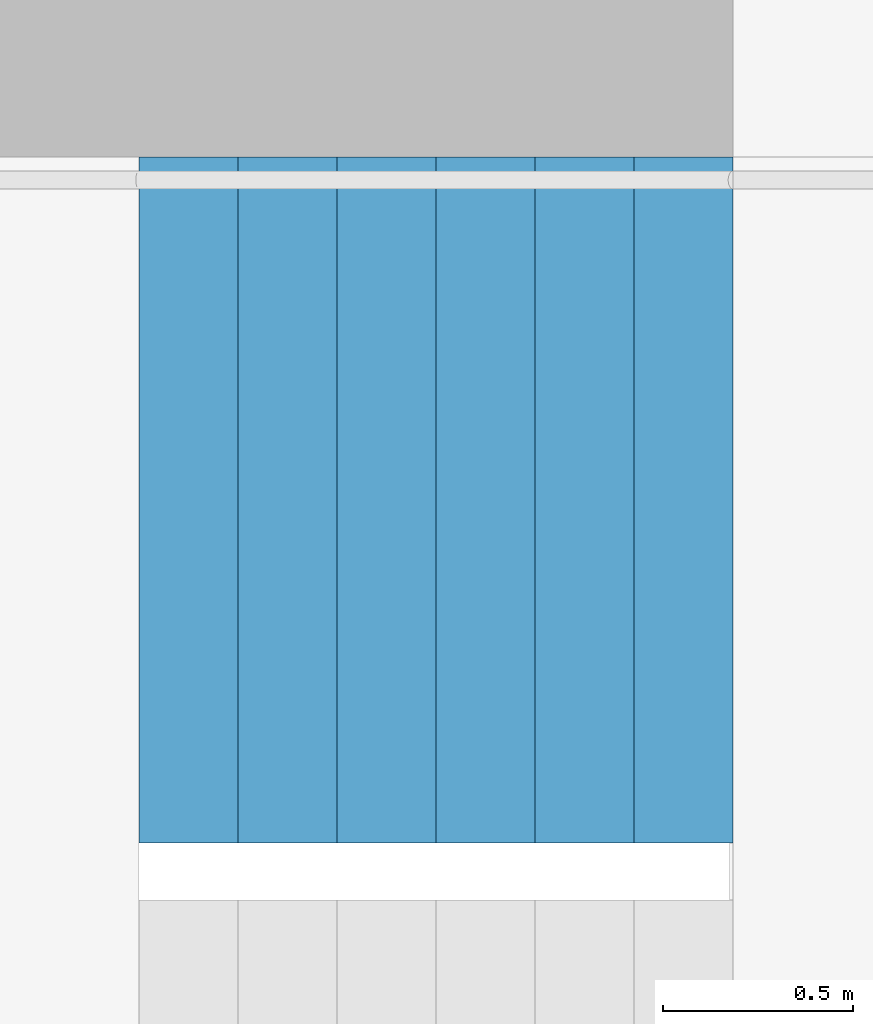
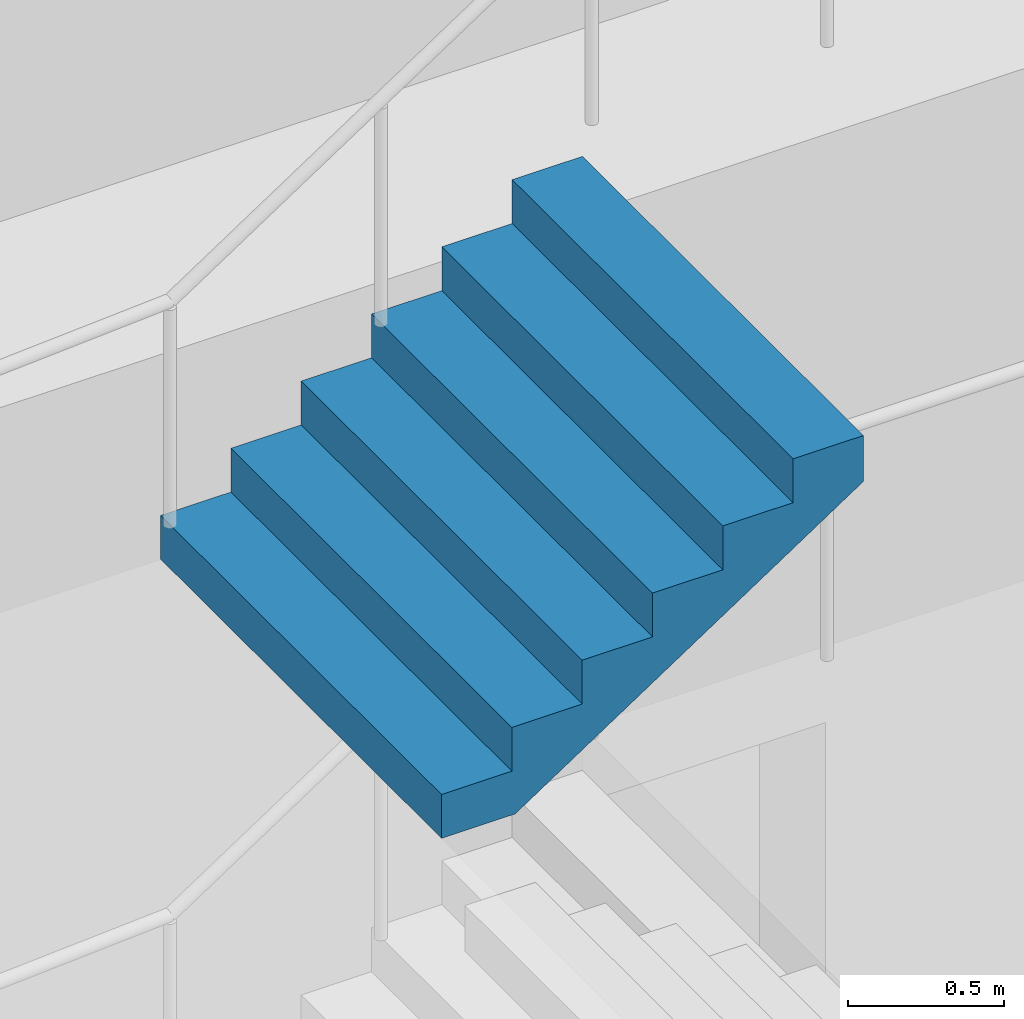
# One storey, part 42 of 53: 1 stair flight, 1 element without a shape of its own.
"""IFC4 building model written with IfcOpenShell, lengths in metres."""

from ifc_helpers import new_model, si_unit, direction, frame, origin, place, context, subcontext, project, spatial, triangles, material, type_object, element, aggregate, save


model = new_model("IFC4")

# Units and contexts
model_context = context("Model", 3, precision=1e-05, world=origin(), true_north=direction((0.0, 1.0)))
body_context = subcontext(model_context, "Body", "Model", "MODEL_VIEW")
ifc_project = project(units=[si_unit("LENGTHUNIT", "METRE"), si_unit("AREAUNIT", "SQUARE_METRE"), si_unit("VOLUMEUNIT", "CUBIC_METRE"), si_unit("PLANEANGLEUNIT", "RADIAN"), si_unit("MASSUNIT", "GRAM", prefix="KILO")], contexts=[model_context])

# Site, building, storey
site_placement = place(None, origin())
site = spatial("IfcSite", under=ifc_project, at=site_placement, CompositionType="ELEMENT")
building_placement = place(site_placement, origin())
building = spatial("IfcBuilding", under=site, at=building_placement, Name="Hakoniwa Tower and Hamabe Station Hall", CompositionType="ELEMENT")
storey_placement = place(building_placement, frame((0.0, 0.0, 15.0)))
storey = spatial("IfcBuildingStorey", under=building, at=storey_placement, Name="L03", CompositionType="ELEMENT", Elevation=15.0)

# Stair, stair flight
ifc_material_1 = material(Name="Concrete C40", Category="concrete")
stair_type = type_object("IfcStairType", Name="ESCAPE STAIR 1800", PredefinedType="HALF_TURN_STAIR", material=ifc_material_1)
stair_placement = place(storey_placement, origin())
stair = element("IfcStair", 1, at=stair_placement, inside=storey, type_object=stair_type, Name="Escape stair ST-3 L03", PredefinedType="HALF_TURN_STAIR")
ifc_material_2 = material(Name="Concrete C40", Category="concrete")
stair_flight_type = type_object("IfcStairFlightType", Name="STAIR FLIGHT 1800", PredefinedType="STRAIGHT", material=ifc_material_2)
stair_flight_placement = place(storey_placement, frame((22.840087890625, 6.60009765625, 3.60009765625), z_axis=(0.0, 0.0, 1.0), x_axis=(1.0, 0.0, 0.0)))
stair_flight = element("IfcStairFlight", 2, at=stair_flight_placement, type_object=stair_flight_type, Name="ST-3 flight 4", NumberOfRisers=7, NumberOfTreads=6, PredefinedType="STRAIGHT", RiserHeight=0.171428571, TreadLength=0.26, context=body_context, shape_type="Tessellation", body=[
    triangles([(0.0, 0.89990234375, 0.0), (0.260009765625, 0.89990234375, 0.0), (0.272216796875, 0.89990234375, 0.0), (0.52001953125, 0.89990234375, 0.163330078125), (0.780029296875, 0.89990234375, 0.334716796875), (1.0400390625, 0.89990234375, 0.506103515625), (1.300048828125, 0.89990234375, 0.677490234375), (1.56005859375, 0.89990234375, 0.84912109375), (1.56005859375, 0.89990234375, 1.028564453125), (1.300048828125, 0.89990234375, 1.028564453125), (1.300048828125, 0.89990234375, 0.857177734375), (1.0400390625, 0.89990234375, 0.857177734375), (1.0400390625, 0.89990234375, 0.685791015625), (0.780029296875, 0.89990234375, 0.685791015625), (0.780029296875, 0.89990234375, 0.514404296875), (0.52001953125, 0.89990234375, 0.514404296875), (0.52001953125, 0.89990234375, 0.3427734375), (0.272216796875, 0.89990234375, 0.3427734375), (0.260009765625, 0.89990234375, 0.3427734375), (0.260009765625, 0.89990234375, 0.17138671875), (0.0, 0.89990234375, 0.17138671875), (0.0, 0.06005859375, 0.0), (0.260009765625, 0.06005859375, 0.0), (0.272216796875, 0.06005859375, 0.0), (0.52001953125, 0.06005859375, 0.163330078125), (0.780029296875, 0.06005859375, 0.334716796875), (1.0400390625, 0.06005859375, 0.506103515625), (1.300048828125, 0.06005859375, 0.677490234375), (1.56005859375, 0.06005859375, 0.84912109375), (1.56005859375, 0.06005859375, 1.028564453125), (1.300048828125, 0.06005859375, 1.028564453125), (1.300048828125, 0.06005859375, 0.857177734375), (1.0400390625, 0.06005859375, 0.857177734375), (1.0400390625, 0.06005859375, 0.685791015625), (0.780029296875, 0.06005859375, 0.685791015625), (0.780029296875, 0.06005859375, 0.514404296875), (0.52001953125, 0.06005859375, 0.514404296875), (0.52001953125, 0.06005859375, 0.3427734375), (0.272216796875, 0.06005859375, 0.3427734375), (0.260009765625, 0.06005859375, 0.3427734375), (0.260009765625, 0.06005859375, 0.17138671875), (0.0, 0.06005859375, 0.17138671875), (0.0, 0.049072265625, 0.0), (0.260009765625, 0.049072265625, 0.0), (0.272216796875, 0.049072265625, 0.0), (0.52001953125, 0.049072265625, 0.163330078125), (0.780029296875, 0.049072265625, 0.334716796875), (1.0400390625, 0.049072265625, 0.506103515625), (1.300048828125, 0.049072265625, 0.677490234375), (1.56005859375, 0.049072265625, 0.84912109375), (1.56005859375, 0.049072265625, 1.028564453125), (1.300048828125, 0.049072265625, 1.028564453125), (1.300048828125, 0.049072265625, 0.857177734375), (1.0400390625, 0.049072265625, 0.857177734375), (1.0400390625, 0.049072265625, 0.685791015625), (0.780029296875, 0.049072265625, 0.685791015625), (0.780029296875, 0.049072265625, 0.514404296875), (0.52001953125, 0.049072265625, 0.514404296875), (0.52001953125, 0.049072265625, 0.3427734375), (0.272216796875, 0.049072265625, 0.3427734375), (0.260009765625, 0.049072265625, 0.3427734375), (0.260009765625, 0.049072265625, 0.17138671875), (0.0, 0.049072265625, 0.17138671875), (0.0, 0.0380859375, 0.0), (0.260009765625, 0.0380859375, 0.0), (0.272216796875, 0.0380859375, 0.0), (0.52001953125, 0.0380859375, 0.163330078125), (0.780029296875, 0.0380859375, 0.334716796875), (1.0400390625, 0.0380859375, 0.506103515625), (1.300048828125, 0.0380859375, 0.677490234375), (1.56005859375, 0.0380859375, 0.84912109375), (1.56005859375, 0.0380859375, 1.028564453125), (1.300048828125, 0.0380859375, 1.028564453125), (1.300048828125, 0.0380859375, 0.857177734375), (1.0400390625, 0.0380859375, 0.857177734375), (1.0400390625, 0.0380859375, 0.685791015625), (0.780029296875, 0.0380859375, 0.685791015625), (0.780029296875, 0.0380859375, 0.514404296875), (0.52001953125, 0.0380859375, 0.514404296875), (0.52001953125, 0.0380859375, 0.3427734375), (0.272216796875, 0.0380859375, 0.3427734375), (0.260009765625, 0.0380859375, 0.3427734375), (0.260009765625, 0.0380859375, 0.17138671875), (0.0, 0.0380859375, 0.17138671875), (0.0, 0.02734375, 0.0), (0.260009765625, 0.02734375, 0.0), (0.272216796875, 0.02734375, 0.0), (0.52001953125, 0.02734375, 0.163330078125), (0.780029296875, 0.02734375, 0.334716796875), (1.0400390625, 0.02734375, 0.506103515625), (1.300048828125, 0.02734375, 0.677490234375), (1.56005859375, 0.02734375, 0.84912109375), (1.56005859375, 0.02734375, 1.028564453125), (1.300048828125, 0.02734375, 1.028564453125), (1.300048828125, 0.02734375, 0.857177734375), (1.0400390625, 0.02734375, 0.857177734375), (1.0400390625, 0.02734375, 0.685791015625), (0.780029296875, 0.02734375, 0.685791015625), (0.780029296875, 0.02734375, 0.514404296875), (0.52001953125, 0.02734375, 0.514404296875), (0.52001953125, 0.02734375, 0.3427734375), (0.272216796875, 0.02734375, 0.3427734375), (0.260009765625, 0.02734375, 0.3427734375), (0.260009765625, 0.02734375, 0.17138671875), (0.0, 0.02734375, 0.17138671875), (0.0, 0.016357421875, 0.0), (0.260009765625, 0.016357421875, 0.0), (0.272216796875, 0.016357421875, 0.0), (0.52001953125, 0.016357421875, 0.163330078125), (0.780029296875, 0.016357421875, 0.334716796875), (1.0400390625, 0.016357421875, 0.506103515625), (1.300048828125, 0.016357421875, 0.677490234375), (1.56005859375, 0.016357421875, 0.84912109375), (1.56005859375, 0.016357421875, 1.028564453125), (1.300048828125, 0.016357421875, 1.028564453125), (1.300048828125, 0.016357421875, 0.857177734375), (1.0400390625, 0.016357421875, 0.857177734375), (1.0400390625, 0.016357421875, 0.685791015625), (0.780029296875, 0.016357421875, 0.685791015625), (0.780029296875, 0.016357421875, 0.514404296875), (0.52001953125, 0.016357421875, 0.514404296875), (0.52001953125, 0.016357421875, 0.3427734375), (0.272216796875, 0.016357421875, 0.3427734375), (0.260009765625, 0.016357421875, 0.3427734375), (0.260009765625, 0.016357421875, 0.17138671875), (0.0, 0.016357421875, 0.17138671875), (0.0, 0.00537109375, 0.0), (0.260009765625, 0.00537109375, 0.0), (0.272216796875, 0.00537109375, 0.0), (0.52001953125, 0.00537109375, 0.163330078125), (0.780029296875, 0.00537109375, 0.334716796875), (1.0400390625, 0.00537109375, 0.506103515625), (1.300048828125, 0.00537109375, 0.677490234375), (1.56005859375, 0.00537109375, 0.84912109375), (1.56005859375, 0.00537109375, 1.028564453125), (1.300048828125, 0.00537109375, 1.028564453125), (1.300048828125, 0.00537109375, 0.857177734375), (1.0400390625, 0.00537109375, 0.857177734375), (1.0400390625, 0.00537109375, 0.685791015625), (0.780029296875, 0.00537109375, 0.685791015625), (0.780029296875, 0.00537109375, 0.514404296875), (0.52001953125, 0.00537109375, 0.514404296875), (0.52001953125, 0.00537109375, 0.3427734375), (0.272216796875, 0.00537109375, 0.3427734375), (0.260009765625, 0.00537109375, 0.3427734375), (0.260009765625, 0.00537109375, 0.17138671875), (0.0, 0.00537109375, 0.17138671875), (0.0, -0.00537109375, 0.0), (0.260009765625, -0.00537109375, 0.0), (0.272216796875, -0.00537109375, 0.0), (0.52001953125, -0.00537109375, 0.163330078125), (0.780029296875, -0.00537109375, 0.334716796875), (1.0400390625, -0.00537109375, 0.506103515625), (1.300048828125, -0.00537109375, 0.677490234375), (1.56005859375, -0.00537109375, 0.84912109375), (1.56005859375, -0.00537109375, 1.028564453125), (1.300048828125, -0.00537109375, 1.028564453125), (1.300048828125, -0.00537109375, 0.857177734375), (1.0400390625, -0.00537109375, 0.857177734375), (1.0400390625, -0.00537109375, 0.685791015625), (0.780029296875, -0.00537109375, 0.685791015625), (0.780029296875, -0.00537109375, 0.514404296875), (0.52001953125, -0.00537109375, 0.514404296875), (0.52001953125, -0.00537109375, 0.3427734375), (0.272216796875, -0.00537109375, 0.3427734375), (0.260009765625, -0.00537109375, 0.3427734375), (0.260009765625, -0.00537109375, 0.17138671875), (0.0, -0.00537109375, 0.17138671875), (0.0, -0.016357421875, 0.0), (0.260009765625, -0.016357421875, 0.0), (0.272216796875, -0.016357421875, 0.0), (0.52001953125, -0.016357421875, 0.163330078125), (0.780029296875, -0.016357421875, 0.334716796875), (1.0400390625, -0.016357421875, 0.506103515625), (1.300048828125, -0.016357421875, 0.677490234375), (1.56005859375, -0.016357421875, 0.84912109375), (1.56005859375, -0.016357421875, 1.028564453125), (1.300048828125, -0.016357421875, 1.028564453125), (1.300048828125, -0.016357421875, 0.857177734375), (1.0400390625, -0.016357421875, 0.857177734375), (1.0400390625, -0.016357421875, 0.685791015625), (0.780029296875, -0.016357421875, 0.685791015625), (0.780029296875, -0.016357421875, 0.514404296875), (0.52001953125, -0.016357421875, 0.514404296875), (0.52001953125, -0.016357421875, 0.3427734375), (0.272216796875, -0.016357421875, 0.3427734375), (0.260009765625, -0.016357421875, 0.3427734375), (0.260009765625, -0.016357421875, 0.17138671875), (0.0, -0.016357421875, 0.17138671875), (0.0, -0.02734375, 0.0), (0.260009765625, -0.02734375, 0.0), (0.272216796875, -0.02734375, 0.0), (0.52001953125, -0.02734375, 0.163330078125), (0.780029296875, -0.02734375, 0.334716796875), (1.0400390625, -0.02734375, 0.506103515625), (1.300048828125, -0.02734375, 0.677490234375), (1.56005859375, -0.02734375, 0.84912109375), (1.56005859375, -0.02734375, 1.028564453125), (1.300048828125, -0.02734375, 1.028564453125), (1.300048828125, -0.02734375, 0.857177734375), (1.0400390625, -0.02734375, 0.857177734375), (1.0400390625, -0.02734375, 0.685791015625), (0.780029296875, -0.02734375, 0.685791015625), (0.780029296875, -0.02734375, 0.514404296875), (0.52001953125, -0.02734375, 0.514404296875), (0.52001953125, -0.02734375, 0.3427734375), (0.272216796875, -0.02734375, 0.3427734375), (0.260009765625, -0.02734375, 0.3427734375), (0.260009765625, -0.02734375, 0.17138671875), (0.0, -0.02734375, 0.17138671875), (0.0, -0.0380859375, 0.0), (0.260009765625, -0.0380859375, 0.0), (0.272216796875, -0.0380859375, 0.0), (0.52001953125, -0.0380859375, 0.163330078125), (0.780029296875, -0.0380859375, 0.334716796875), (1.0400390625, -0.0380859375, 0.506103515625), (1.300048828125, -0.0380859375, 0.677490234375), (1.56005859375, -0.0380859375, 0.84912109375), (1.56005859375, -0.0380859375, 1.028564453125), (1.300048828125, -0.0380859375, 1.028564453125), (1.300048828125, -0.0380859375, 0.857177734375), (1.0400390625, -0.0380859375, 0.857177734375), (1.0400390625, -0.0380859375, 0.685791015625), (0.780029296875, -0.0380859375, 0.685791015625), (0.780029296875, -0.0380859375, 0.514404296875), (0.52001953125, -0.0380859375, 0.514404296875), (0.52001953125, -0.0380859375, 0.3427734375), (0.272216796875, -0.0380859375, 0.3427734375), (0.260009765625, -0.0380859375, 0.3427734375), (0.260009765625, -0.0380859375, 0.17138671875), (0.0, -0.0380859375, 0.17138671875), (0.0, -0.049072265625, 0.0), (0.260009765625, -0.049072265625, 0.0), (0.272216796875, -0.049072265625, 0.0), (0.52001953125, -0.049072265625, 0.163330078125), (0.780029296875, -0.049072265625, 0.334716796875), (1.0400390625, -0.049072265625, 0.506103515625), (1.300048828125, -0.049072265625, 0.677490234375), (1.56005859375, -0.049072265625, 0.84912109375), (1.56005859375, -0.049072265625, 1.028564453125), (1.300048828125, -0.049072265625, 1.028564453125), (1.300048828125, -0.049072265625, 0.857177734375), (1.0400390625, -0.049072265625, 0.857177734375), (1.0400390625, -0.049072265625, 0.685791015625), (0.780029296875, -0.049072265625, 0.685791015625), (0.780029296875, -0.049072265625, 0.514404296875), (0.52001953125, -0.049072265625, 0.514404296875), (0.52001953125, -0.049072265625, 0.3427734375), (0.272216796875, -0.049072265625, 0.3427734375), (0.260009765625, -0.049072265625, 0.3427734375), (0.260009765625, -0.049072265625, 0.17138671875), (0.0, -0.049072265625, 0.17138671875), (0.0, -0.06005859375, 0.0), (0.260009765625, -0.06005859375, 0.0), (0.272216796875, -0.06005859375, 0.0), (0.52001953125, -0.06005859375, 0.163330078125), (0.780029296875, -0.06005859375, 0.334716796875), (1.0400390625, -0.06005859375, 0.506103515625), (1.300048828125, -0.06005859375, 0.677490234375), (1.56005859375, -0.06005859375, 0.84912109375), (1.56005859375, -0.06005859375, 1.028564453125), (1.300048828125, -0.06005859375, 1.028564453125), (1.300048828125, -0.06005859375, 0.857177734375), (1.0400390625, -0.06005859375, 0.857177734375), (1.0400390625, -0.06005859375, 0.685791015625), (0.780029296875, -0.06005859375, 0.685791015625), (0.780029296875, -0.06005859375, 0.514404296875), (0.52001953125, -0.06005859375, 0.514404296875), (0.52001953125, -0.06005859375, 0.3427734375), (0.272216796875, -0.06005859375, 0.3427734375), (0.260009765625, -0.06005859375, 0.3427734375), (0.260009765625, -0.06005859375, 0.17138671875), (0.0, -0.06005859375, 0.17138671875), (0.0, -0.89990234375, 0.0), (0.260009765625, -0.89990234375, 0.0), (0.272216796875, -0.89990234375, 0.0), (0.52001953125, -0.89990234375, 0.163330078125), (0.780029296875, -0.89990234375, 0.334716796875), (1.0400390625, -0.89990234375, 0.506103515625), (1.300048828125, -0.89990234375, 0.677490234375), (1.56005859375, -0.89990234375, 0.84912109375), (1.56005859375, -0.89990234375, 1.028564453125), (1.300048828125, -0.89990234375, 1.028564453125), (1.300048828125, -0.89990234375, 0.857177734375), (1.0400390625, -0.89990234375, 0.857177734375), (1.0400390625, -0.89990234375, 0.685791015625), (0.780029296875, -0.89990234375, 0.685791015625), (0.780029296875, -0.89990234375, 0.514404296875), (0.52001953125, -0.89990234375, 0.514404296875), (0.52001953125, -0.89990234375, 0.3427734375), (0.272216796875, -0.89990234375, 0.3427734375), (0.260009765625, -0.89990234375, 0.3427734375), (0.260009765625, -0.89990234375, 0.17138671875), (0.0, -0.89990234375, 0.17138671875)], [[2, 21, 20], [275, 293, 294], [2, 1, 21], [275, 294, 274], [3, 19, 18], [276, 291, 292], [3, 20, 19], [276, 292, 293], [3, 2, 20], [276, 293, 275], [4, 18, 17], [277, 290, 291], [4, 3, 18], [277, 291, 276], [5, 16, 15], [278, 288, 289], [5, 17, 16], [278, 289, 290], [5, 4, 17], [278, 290, 277], [6, 14, 13], [279, 286, 287], [6, 15, 14], [279, 287, 288], [6, 5, 15], [279, 288, 278], [7, 12, 11], [280, 284, 285], [7, 13, 12], [280, 285, 286], [7, 6, 13], [280, 286, 279], [8, 10, 9], [281, 282, 283], [8, 11, 10], [281, 283, 284], [8, 7, 11], [281, 284, 280], [1, 2, 23], [1, 23, 22], [22, 23, 44], [22, 44, 43], [43, 44, 65], [43, 65, 64], [64, 65, 86], [64, 86, 85], [85, 86, 107], [85, 107, 106], [106, 107, 128], [106, 128, 127], [127, 128, 149], [127, 149, 148], [148, 149, 170], [148, 170, 169], [169, 170, 191], [169, 191, 190], [190, 191, 212], [190, 212, 211], [211, 212, 233], [211, 233, 232], [232, 233, 254], [232, 254, 253], [253, 254, 275], [253, 275, 274], [2, 3, 24], [2, 24, 23], [23, 24, 45], [23, 45, 44], [44, 45, 66], [44, 66, 65], [65, 66, 87], [65, 87, 86], [86, 87, 108], [86, 108, 107], [107, 108, 129], [107, 129, 128], [128, 129, 150], [128, 150, 149], [149, 150, 171], [149, 171, 170], [170, 171, 192], [170, 192, 191], [191, 192, 213], [191, 213, 212], [212, 213, 234], [212, 234, 233], [233, 234, 255], [233, 255, 254], [254, 255, 276], [254, 276, 275], [3, 4, 25], [3, 25, 24], [24, 25, 46], [24, 46, 45], [45, 46, 67], [45, 67, 66], [66, 67, 88], [66, 88, 87], [87, 88, 109], [87, 109, 108], [108, 109, 130], [108, 130, 129], [129, 130, 151], [129, 151, 150], [150, 151, 172], [150, 172, 171], [171, 172, 193], [171, 193, 192], [192, 193, 214], [192, 214, 213], [213, 214, 235], [213, 235, 234], [234, 235, 256], [234, 256, 255], [255, 256, 277], [255, 277, 276], [4, 5, 26], [4, 26, 25], [25, 26, 47], [25, 47, 46], [46, 47, 68], [46, 68, 67], [67, 68, 89], [67, 89, 88], [88, 89, 110], [88, 110, 109], [109, 110, 131], [109, 131, 130], [130, 131, 152], [130, 152, 151], [151, 152, 173], [151, 173, 172], [172, 173, 194], [172, 194, 193], [193, 194, 215], [193, 215, 214], [214, 215, 236], [214, 236, 235], [235, 236, 257], [235, 257, 256], [256, 257, 278], [256, 278, 277], [5, 6, 27], [5, 27, 26], [26, 27, 48], [26, 48, 47], [47, 48, 69], [47, 69, 68], [68, 69, 90], [68, 90, 89], [89, 90, 111], [89, 111, 110], [110, 111, 132], [110, 132, 131], [131, 132, 153], [131, 153, 152], [152, 153, 174], [152, 174, 173], [173, 174, 195], [173, 195, 194], [194, 195, 216], [194, 216, 215], [215, 216, 237], [215, 237, 236], [236, 237, 258], [236, 258, 257], [257, 258, 279], [257, 279, 278], [6, 7, 28], [6, 28, 27], [27, 28, 49], [27, 49, 48], [48, 49, 70], [48, 70, 69], [69, 70, 91], [69, 91, 90], [90, 91, 112], [90, 112, 111], [111, 112, 133], [111, 133, 132], [132, 133, 154], [132, 154, 153], [153, 154, 175], [153, 175, 174], [174, 175, 196], [174, 196, 195], [195, 196, 217], [195, 217, 216], [216, 217, 238], [216, 238, 237], [237, 238, 259], [237, 259, 258], [258, 259, 280], [258, 280, 279], [7, 8, 29], [7, 29, 28], [28, 29, 50], [28, 50, 49], [49, 50, 71], [49, 71, 70], [70, 71, 92], [70, 92, 91], [91, 92, 113], [91, 113, 112], [112, 113, 134], [112, 134, 133], [133, 134, 155], [133, 155, 154], [154, 155, 176], [154, 176, 175], [175, 176, 197], [175, 197, 196], [196, 197, 218], [196, 218, 217], [217, 218, 239], [217, 239, 238], [238, 239, 260], [238, 260, 259], [259, 260, 281], [259, 281, 280], [8, 9, 30], [8, 30, 29], [29, 30, 51], [29, 51, 50], [50, 51, 72], [50, 72, 71], [71, 72, 93], [71, 93, 92], [92, 93, 114], [92, 114, 113], [113, 114, 135], [113, 135, 134], [134, 135, 156], [134, 156, 155], [155, 156, 177], [155, 177, 176], [176, 177, 198], [176, 198, 197], [197, 198, 219], [197, 219, 218], [218, 219, 240], [218, 240, 239], [239, 240, 261], [239, 261, 260], [260, 261, 282], [260, 282, 281], [9, 10, 31], [9, 31, 30], [30, 31, 52], [30, 52, 51], [51, 52, 73], [51, 73, 72], [72, 73, 94], [72, 94, 93], [93, 94, 115], [93, 115, 114], [114, 115, 136], [114, 136, 135], [135, 136, 157], [135, 157, 156], [156, 157, 178], [156, 178, 177], [177, 178, 199], [177, 199, 198], [198, 199, 220], [198, 220, 219], [219, 220, 241], [219, 241, 240], [240, 241, 262], [240, 262, 261], [261, 262, 283], [261, 283, 282], [10, 11, 32], [10, 32, 31], [31, 32, 53], [31, 53, 52], [52, 53, 74], [52, 74, 73], [73, 74, 95], [73, 95, 94], [94, 95, 116], [94, 116, 115], [115, 116, 137], [115, 137, 136], [136, 137, 158], [136, 158, 157], [157, 158, 179], [157, 179, 178], [178, 179, 200], [178, 200, 199], [199, 200, 221], [199, 221, 220], [220, 221, 242], [220, 242, 241], [241, 242, 263], [241, 263, 262], [262, 263, 284], [262, 284, 283], [11, 12, 33], [11, 33, 32], [32, 33, 54], [32, 54, 53], [53, 54, 75], [53, 75, 74], [74, 75, 96], [74, 96, 95], [95, 96, 117], [95, 117, 116], [116, 117, 138], [116, 138, 137], [137, 138, 159], [137, 159, 158], [158, 159, 180], [158, 180, 179], [179, 180, 201], [179, 201, 200], [200, 201, 222], [200, 222, 221], [221, 222, 243], [221, 243, 242], [242, 243, 264], [242, 264, 263], [263, 264, 285], [263, 285, 284], [12, 13, 34], [12, 34, 33], [33, 34, 55], [33, 55, 54], [54, 55, 76], [54, 76, 75], [75, 76, 97], [75, 97, 96], [96, 97, 118], [96, 118, 117], [117, 118, 139], [117, 139, 138], [138, 139, 160], [138, 160, 159], [159, 160, 181], [159, 181, 180], [180, 181, 202], [180, 202, 201], [201, 202, 223], [201, 223, 222], [222, 223, 244], [222, 244, 243], [243, 244, 265], [243, 265, 264], [264, 265, 286], [264, 286, 285], [13, 14, 35], [13, 35, 34], [34, 35, 56], [34, 56, 55], [55, 56, 77], [55, 77, 76], [76, 77, 98], [76, 98, 97], [97, 98, 119], [97, 119, 118], [118, 119, 140], [118, 140, 139], [139, 140, 161], [139, 161, 160], [160, 161, 182], [160, 182, 181], [181, 182, 203], [181, 203, 202], [202, 203, 224], [202, 224, 223], [223, 224, 245], [223, 245, 244], [244, 245, 266], [244, 266, 265], [265, 266, 287], [265, 287, 286], [14, 15, 36], [14, 36, 35], [35, 36, 57], [35, 57, 56], [56, 57, 78], [56, 78, 77], [77, 78, 99], [77, 99, 98], [98, 99, 120], [98, 120, 119], [119, 120, 141], [119, 141, 140], [140, 141, 162], [140, 162, 161], [161, 162, 183], [161, 183, 182], [182, 183, 204], [182, 204, 203], [203, 204, 225], [203, 225, 224], [224, 225, 246], [224, 246, 245], [245, 246, 267], [245, 267, 266], [266, 267, 288], [266, 288, 287], [15, 16, 37], [15, 37, 36], [36, 37, 58], [36, 58, 57], [57, 58, 79], [57, 79, 78], [78, 79, 100], [78, 100, 99], [99, 100, 121], [99, 121, 120], [120, 121, 142], [120, 142, 141], [141, 142, 163], [141, 163, 162], [162, 163, 184], [162, 184, 183], [183, 184, 205], [183, 205, 204], [204, 205, 226], [204, 226, 225], [225, 226, 247], [225, 247, 246], [246, 247, 268], [246, 268, 267], [267, 268, 289], [267, 289, 288], [16, 17, 38], [16, 38, 37], [37, 38, 59], [37, 59, 58], [58, 59, 80], [58, 80, 79], [79, 80, 101], [79, 101, 100], [100, 101, 122], [100, 122, 121], [121, 122, 143], [121, 143, 142], [142, 143, 164], [142, 164, 163], [163, 164, 185], [163, 185, 184], [184, 185, 206], [184, 206, 205], [205, 206, 227], [205, 227, 226], [226, 227, 248], [226, 248, 247], [247, 248, 269], [247, 269, 268], [268, 269, 290], [268, 290, 289], [17, 18, 39], [17, 39, 38], [38, 39, 60], [38, 60, 59], [59, 60, 81], [59, 81, 80], [80, 81, 102], [80, 102, 101], [101, 102, 123], [101, 123, 122], [122, 123, 144], [122, 144, 143], [143, 144, 165], [143, 165, 164], [164, 165, 186], [164, 186, 185], [185, 186, 207], [185, 207, 206], [206, 207, 228], [206, 228, 227], [227, 228, 249], [227, 249, 248], [248, 249, 270], [248, 270, 269], [269, 270, 291], [269, 291, 290], [18, 19, 40], [18, 40, 39], [39, 40, 61], [39, 61, 60], [60, 61, 82], [60, 82, 81], [81, 82, 103], [81, 103, 102], [102, 103, 124], [102, 124, 123], [123, 124, 145], [123, 145, 144], [144, 145, 166], [144, 166, 165], [165, 166, 187], [165, 187, 186], [186, 187, 208], [186, 208, 207], [207, 208, 229], [207, 229, 228], [228, 229, 250], [228, 250, 249], [249, 250, 271], [249, 271, 270], [270, 271, 292], [270, 292, 291], [19, 20, 41], [19, 41, 40], [40, 41, 62], [40, 62, 61], [61, 62, 83], [61, 83, 82], [82, 83, 104], [82, 104, 103], [103, 104, 125], [103, 125, 124], [124, 125, 146], [124, 146, 145], [145, 146, 167], [145, 167, 166], [166, 167, 188], [166, 188, 187], [187, 188, 209], [187, 209, 208], [208, 209, 230], [208, 230, 229], [229, 230, 251], [229, 251, 250], [250, 251, 272], [250, 272, 271], [271, 272, 293], [271, 293, 292], [20, 21, 42], [20, 42, 41], [41, 42, 63], [41, 63, 62], [62, 63, 84], [62, 84, 83], [83, 84, 105], [83, 105, 104], [104, 105, 126], [104, 126, 125], [125, 126, 147], [125, 147, 146], [146, 147, 168], [146, 168, 167], [167, 168, 189], [167, 189, 188], [188, 189, 210], [188, 210, 209], [209, 210, 231], [209, 231, 230], [230, 231, 252], [230, 252, 251], [251, 252, 273], [251, 273, 272], [272, 273, 294], [272, 294, 293], [21, 1, 22], [21, 22, 42], [42, 22, 43], [42, 43, 63], [63, 43, 64], [63, 64, 84], [84, 64, 85], [84, 85, 105], [105, 85, 106], [105, 106, 126], [126, 106, 127], [126, 127, 147], [147, 127, 148], [147, 148, 168], [168, 148, 169], [168, 169, 189], [189, 169, 190], [189, 190, 210], [210, 190, 211], [210, 211, 231], [231, 211, 232], [231, 232, 252], [252, 232, 253], [252, 253, 273], [273, 253, 274], [273, 274, 294]], closed=True),
])
aggregate(stair, [stair_flight])

save(model, "model.ifc")
